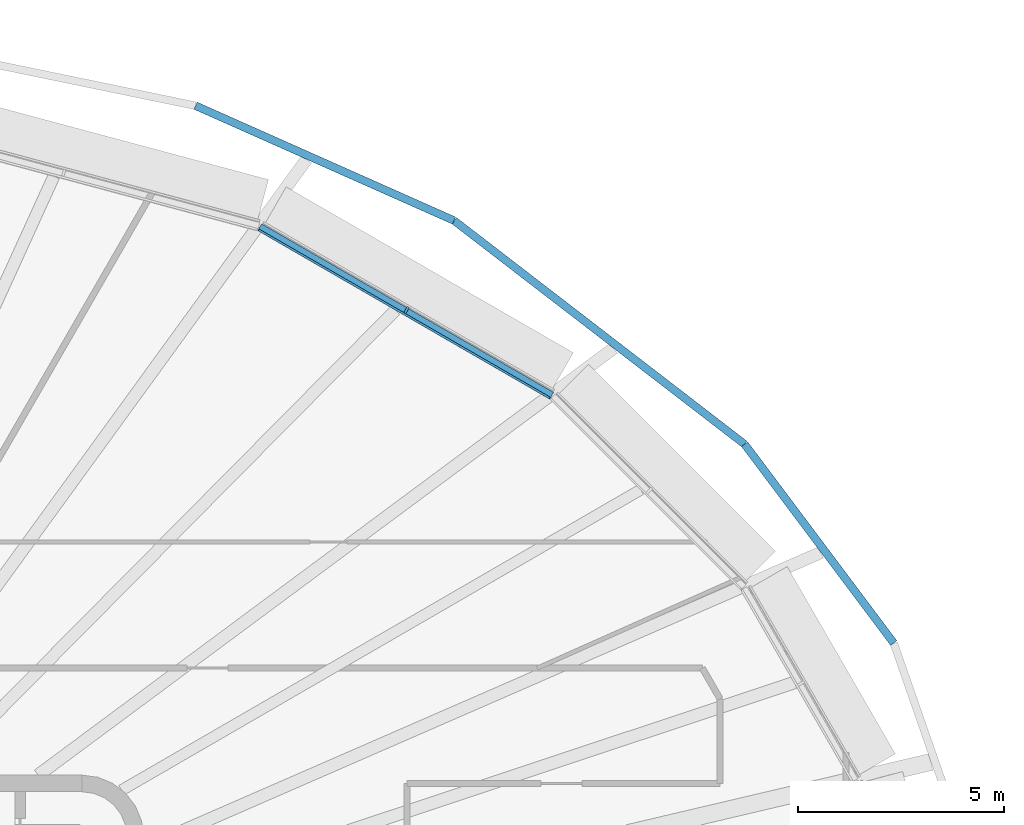
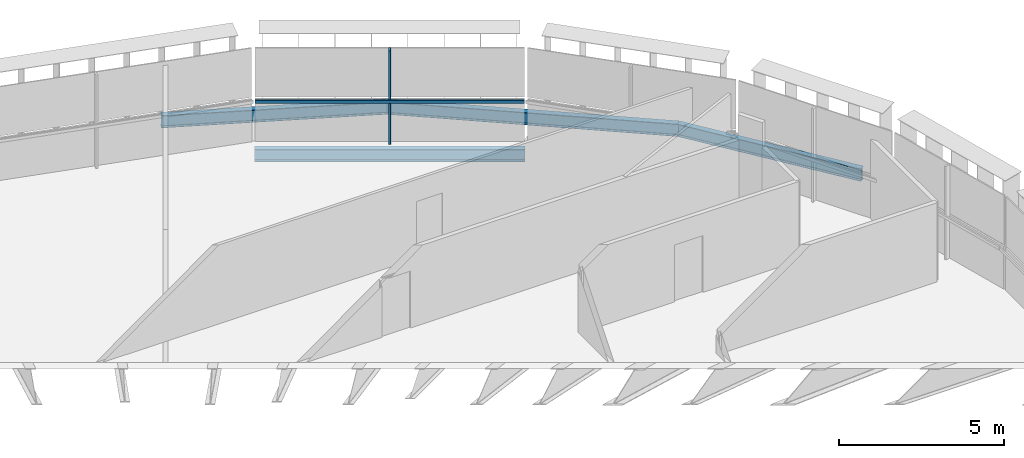
# One storey, part 7 of 20: 4 beams, 2 members, 1 element without a shape of its own.
"""IFC4 building model written with IfcOpenShell, lengths in metres."""

from ifc_helpers import new_model, si_unit, direction, frame, origin, origin_2d, place, context, subcontext, project, spatial, rectangle, i_section, extrude, material, layer, layer_set, material_profile, profile_set, type_object, element, aggregate, save


model = new_model("IFC4")

# Units and contexts
model_context = context("Model", 3, precision=1e-05, world=origin(), true_north=direction((0.0, 1.0)))
body_context = subcontext(model_context, "Body", "Model", "MODEL_VIEW")
ifc_project = project(units=[si_unit("LENGTHUNIT", "METRE"), si_unit("AREAUNIT", "SQUARE_METRE"), si_unit("VOLUMEUNIT", "CUBIC_METRE"), si_unit("PLANEANGLEUNIT", "RADIAN"), si_unit("MASSUNIT", "GRAM", prefix="KILO")], contexts=[model_context])

# Site, building, storey
site_placement = place(None, origin())
site = spatial("IfcSite", under=ifc_project, at=site_placement, CompositionType="ELEMENT")
building_placement = place(site_placement, origin())
building = spatial("IfcBuilding", under=site, at=building_placement, Name="Sahrelin Media Tower", CompositionType="ELEMENT")
storey_placement = place(building_placement, frame((0.0, 0.0, 209.60009765625)))
storey = spatial("IfcBuildingStorey", under=building, at=storey_placement, Name="L44", CompositionType="ELEMENT", Elevation=209.60009765625)

# Beam
ifc_material_1 = material(Name="Steel S355", Category="steel")
ifc_material_profile_1 = material_profile(ifc_material_1, i_section(OverallWidth=0.1904296875, OverallDepth=0.45703125, WebThickness=0.009033203125, FlangeThickness=0.014404296875, FilletRadius=0.01025390625, at=origin_2d()), Name="UB 457x191x74")
ifc_profile_set_1 = profile_set([ifc_material_profile_1], Name="Steel S355")
beam_type_1 = type_object("IfcBeamType", Name="Edge beam EB5", PredefinedType="BEAM", material=ifc_profile_set_1)
beam_1_placement = place(storey_placement, frame((14.819091796875, 20.30859375, -0.378662109375), z_axis=(0.86602319786, -0.500003820754, 0.0), x_axis=(0.500003820754, 0.86602319786, 0.0)))
element("IfcBeam", 1, at=beam_1_placement, inside=storey, type_object=beam_type_1, Name="Edge beam L44-21", PredefinedType="BEAM", context=body_context, shape_type="SweptSolid", body=[
    extrude(i_section(OverallWidth=0.1904296875, OverallDepth=0.45703125, WebThickness=0.009033203125, FlangeThickness=0.014404296875, FilletRadius=0.01025390625, at=origin_2d()), origin(), (0.0, 0.0, 1.0), 8.18701171875),
])

# Curtain wall, member
ifc_material_2 = material(Name="Champagne anodised aluminium 6063-T6", Category="aluminium")
ifc_layer = layer(ifc_material_2, 0.14990234375)
ifc_layer_set = layer_set([ifc_layer], Name="Tower ribbon curtain wall")
curtain_wall_type = type_object("IfcCurtainWallType", Name="Tower ribbon curtain wall", PredefinedType="NOTDEFINED", material=ifc_layer_set)
curtain_wall_placement = place(storey_placement, frame((18.439208984375, 18.3916015625, 0.0), z_axis=(0.0, 0.0, 1.0), x_axis=(1.0, 0.0, 0.0)))
curtain_wall = element("IfcCurtainWall", 2, at=curtain_wall_placement, inside=storey, type_object=curtain_wall_type, Name="L44:CW:L44-04", PredefinedType="NOTDEFINED")
ifc_material_profile_2 = material_profile(ifc_material_2, rectangle(XDim=0.06005859375, YDim=0.175048828125, at=origin_2d()), Name="Mullion 60x175")
ifc_profile_set_2 = profile_set([ifc_material_profile_2], Name="Champagne anodised aluminium 6063-T6")
member_type_1 = type_object("IfcMemberType", Name="Mullion 60x175 CW1B", PredefinedType="MULLION", material=ifc_profile_set_2)
member_1_placement = place(storey_placement, frame((18.385498046875, 18.298583984375, 0.0), z_axis=(0.0, 0.0, 1.0), x_axis=(-0.86602365845, 0.500003022996, 0.0)))
member_1 = element("IfcMember", 3, at=member_1_placement, type_object=member_type_1, Name="L44:CWM:L44-04", PredefinedType="MULLION", context=body_context, shape_type="SweptSolid", body=[
    extrude(rectangle(XDim=0.06005859375, YDim=0.175048828125, at=origin_2d()), origin(), (0.0, 0.0, 1.0), 3.448486328125),
])

# Beams
ifc_material_profile_3 = material_profile(ifc_material_1, i_section(OverallWidth=0.1904296875, OverallDepth=0.45703125, WebThickness=0.009033203125, FlangeThickness=0.014404296875, FilletRadius=0.01025390625, at=origin_2d()), Name="UB 457x191x74")
ifc_profile_set_3 = profile_set([ifc_material_profile_3], Name="Steel S355")
beam_type_2 = type_object("IfcBeamType", Name="Tie chord TC5", PredefinedType="BEAM", material=ifc_profile_set_3)
beam_2_placement = place(storey_placement, frame((30.21923828125, 10.207763671875, -0.378662109375), z_axis=(-0.600045270222, 0.799966045332, 0.0), x_axis=(-0.799966045332, -0.600045270222, 0.0)))
element("IfcBeam", 4, at=beam_2_placement, inside=storey, type_object=beam_type_2, Name="Tie chord L44-02", PredefinedType="BEAM", context=body_context, shape_type="SweptSolid", body=[
    extrude(i_section(OverallWidth=0.1904296875, OverallDepth=0.45703125, WebThickness=0.009033203125, FlangeThickness=0.014404296875, FilletRadius=0.01025390625, at=origin_2d()), origin(), (0.0, 0.0, 1.0), 6.0400390625),
])
beam_3_placement = place(storey_placement, frame((26.594970703125, 15.03955078125, -0.378662109375), z_axis=(-0.792451681615, 0.609934695116, 0.0), x_axis=(-0.609934695116, -0.792451681615, 0.0)))
element("IfcBeam", 5, at=beam_3_placement, inside=storey, type_object=beam_type_2, Name="Tie chord L44-03", PredefinedType="BEAM", context=body_context, shape_type="SweptSolid", body=[
    extrude(i_section(OverallWidth=0.1904296875, OverallDepth=0.45703125, WebThickness=0.009033203125, FlangeThickness=0.014404296875, FilletRadius=0.01025390625, at=origin_2d()), origin(), (0.0, 0.0, 1.0), 8.9033203125),
])
beam_4_placement = place(storey_placement, frame((19.53955078125, 20.469970703125, -0.378662109375), z_axis=(-0.913837926838, 0.406079109869, 0.0), x_axis=(-0.406079109869, -0.913837926838, 0.0)))
element("IfcBeam", 6, at=beam_4_placement, inside=storey, type_object=beam_type_2, Name="Tie chord L44-04", PredefinedType="BEAM", context=body_context, shape_type="SweptSolid", body=[
    extrude(i_section(OverallWidth=0.1904296875, OverallDepth=0.45703125, WebThickness=0.009033203125, FlangeThickness=0.014404296875, FilletRadius=0.01025390625, at=origin_2d()), origin(), (0.0, 0.0, 1.0), 6.869384765625),
])

# Member
ifc_material_profile_4 = material_profile(ifc_material_2, rectangle(XDim=0.050048828125, YDim=0.110107421875, at=origin_2d()), Name="Transom 50x110")
ifc_profile_set_4 = profile_set([ifc_material_profile_4], Name="Champagne anodised aluminium 6063-T6")
member_type_2 = type_object("IfcMemberType", Name="Transom 50x110 CW1B", PredefinedType="USERDEFINED", material=ifc_profile_set_4)
member_2_placement = place(storey_placement, frame((21.860595703125, 16.162353515625, 1.599853515625), z_axis=(-0.866035038465, 0.499983311872, 0.0), x_axis=(-0.499983311872, -0.866035038465, 0.0)))
member_2 = element("IfcMember", 7, at=member_2_placement, type_object=member_type_2, Name="L44:CWT:L44-04", ObjectType="TRANSOM", PredefinedType="USERDEFINED", context=body_context, shape_type="SweptSolid", body=[
    extrude(rectangle(XDim=0.050048828125, YDim=0.110107421875, at=origin_2d()), origin(), (0.0, 0.0, 1.0), 8.155517578125),
])

aggregate(curtain_wall, [member_1, member_2])

save(model, "model.ifc")
